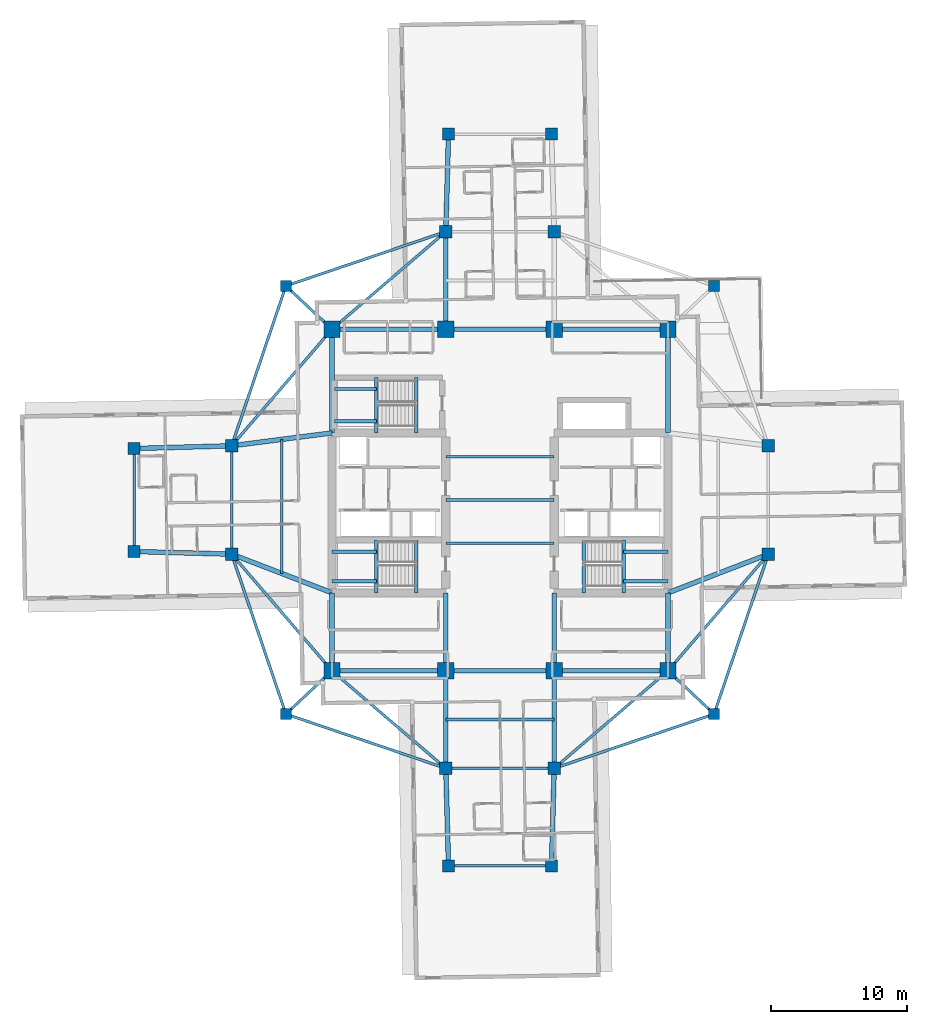
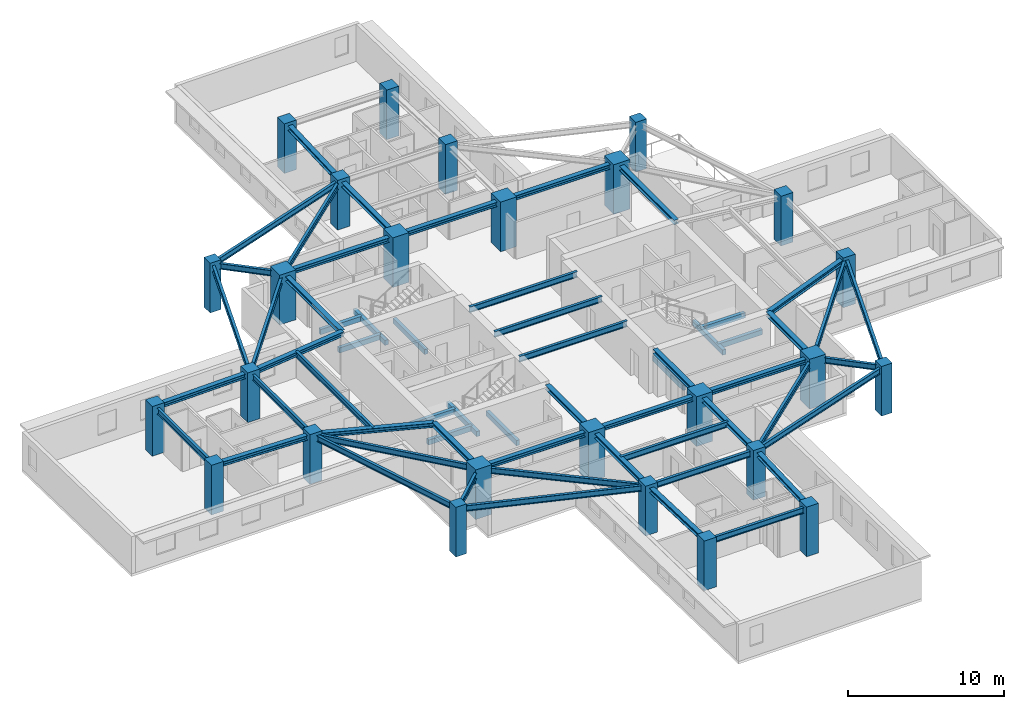
# One storey, part 1 of 13: 59 beams, 26 columns.
"""IFC4 building model written with IfcOpenShell, lengths in metres."""

from ifc_helpers import new_model, si_unit, direction, frame, origin, origin_2d, place, context, subcontext, project, spatial, rectangle, i_section, extrude, material, material_profile, profile_set, type_object, element, save


model = new_model("IFC4")

# Units and contexts
model_context = context("Model", 3, precision=1e-05, world=origin(), true_north=direction((0.0, 1.0)))
body_context = subcontext(model_context, "Body", "Model", "MODEL_VIEW")
ifc_project = project(units=[si_unit("LENGTHUNIT", "METRE"), si_unit("AREAUNIT", "SQUARE_METRE"), si_unit("VOLUMEUNIT", "CUBIC_METRE"), si_unit("PLANEANGLEUNIT", "RADIAN"), si_unit("MASSUNIT", "GRAM", prefix="KILO")], contexts=[model_context])

# Site, building, storey
site_placement = place(None, origin())
site = spatial("IfcSite", under=ifc_project, at=site_placement, CompositionType="ELEMENT")
building_placement = place(site_placement, origin())
building = spatial("IfcBuilding", under=site, at=building_placement, Name="Qingluan Cross Belvedere", CompositionType="ELEMENT")
storey_placement = place(building_placement, frame((0.0, 0.0, 187.800048828125)))
storey = spatial("IfcBuildingStorey", under=building, at=storey_placement, Name="L47", CompositionType="ELEMENT", Elevation=187.800048828125)

# Columns
ifc_material_1 = material(Name="Concrete C60", Category="concrete")
ifc_material_profile_1 = material_profile(ifc_material_1, rectangle(XDim=1.199951171875, YDim=1.199951171875, at=origin_2d()), Name="RC1200x1200")
ifc_profile_set_1 = profile_set([ifc_material_profile_1], Name="Concrete C60")
column_type_1 = type_object("IfcColumnType", Name="Column_RC1200x1200", PredefinedType="COLUMN", material=ifc_profile_set_1)
for number, where, z_axis, x_axis, name in (
    (1, (-12.39990234375, -12.60009765625, 0.0), (0.0, 0.0, 1.0), (1.0, 0.0, 0.0), "Hub column L47-HC1"),
    (2, (12.39990234375, -12.60009765625, 0.0), (0.0, 0.0, 1.0), (1.0, 0.0, 0.0), "Hub column L47-HC2"),
    (3, (12.39990234375, 12.60009765625, 0.0), (0.0, 0.0, 1.0), (1.0, 0.0, 0.0), "Hub column L47-HC3"),
    (4, (-12.39990234375, 12.60009765625, 0.0), (0.0, 0.0, 1.0), (1.0, 0.0, 0.0), "Hub column L47-HC4"),
    (5, (-4.0, -12.60009765625, 0.0), (0.0, 0.0, 1.0), (1.0, 0.0, 0.0), "Hub column L47-HC5"),
    (6, (4.0, -12.60009765625, 0.0), (0.0, 0.0, 1.0), (1.0, 0.0, 0.0), "Hub column L47-HC6"),
    (7, (4.0, 12.60009765625, 0.0), (0.0, 0.0, 1.0), (1.0, 0.0, 0.0), "Hub column L47-HC7"),
    (8, (-4.0, 12.60009765625, 0.0), (0.0, 0.0, 1.0), (1.0, 0.0, 0.0), "Hub column L47-HC8"),
):
    element("IfcColumn", number, at=place(storey_placement, frame(where, z_axis=z_axis, x_axis=x_axis)), inside=storey, type_object=column_type_1, Name=name, PredefinedType="COLUMN", context=body_context, shape_type="SweptSolid", body=[
        extrude(rectangle(XDim=1.199951171875, YDim=1.199951171875, at=origin_2d()), origin(), (0.0, 0.0, 1.0), 3.89990234375),
    ])
ifc_material_2 = material(Name="Concrete C50", Category="concrete")
ifc_material_profile_2 = material_profile(ifc_material_2, rectangle(XDim=0.800048828125, YDim=0.800048828125, at=origin_2d()), Name="RC800x800")
ifc_profile_set_2 = profile_set([ifc_material_profile_2], Name="Concrete C50")
column_type_2 = type_object("IfcColumnType", Name="Column_RC800x800", PredefinedType="COLUMN", material=ifc_profile_set_2)
for number, where, z_axis, x_axis, name in (
    (9, (15.800048828125, 15.800048828125, 0.0), (0.0, 0.0, 1.0), (1.0, 0.0, 0.0), "Corner column L47-RNE"),
    (10, (-15.800048828125, 15.800048828125, 0.0), (0.0, 0.0, 1.0), (1.0, 0.0, 0.0), "Corner column L47-RNW"),
    (11, (-15.800048828125, -15.800048828125, 0.0), (0.0, 0.0, 1.0), (1.0, 0.0, 0.0), "Corner column L47-RSW"),
    (12, (15.800048828125, -15.800048828125, 0.0), (0.0, 0.0, 1.0), (1.0, 0.0, 0.0), "Corner column L47-RSE"),
):
    element("IfcColumn", number, at=place(storey_placement, frame(where, z_axis=z_axis, x_axis=x_axis)), inside=storey, type_object=column_type_2, Name=name, PredefinedType="COLUMN", context=body_context, shape_type="SweptSolid", body=[
        extrude(rectangle(XDim=0.800048828125, YDim=0.800048828125, at=origin_2d()), origin(), (0.0, 0.0, 1.0), 3.89990234375),
    ])
ifc_material_3 = material(Name="Concrete C50", Category="concrete")
ifc_material_profile_3 = material_profile(ifc_material_3, rectangle(XDim=0.89990234375, YDim=0.89990234375, at=origin_2d()), Name="RC900x900")
ifc_profile_set_3 = profile_set([ifc_material_profile_3], Name="Concrete C50")
column_type_3 = type_object("IfcColumnType", Name="Column_RC900x900", PredefinedType="COLUMN", material=ifc_profile_set_3)
for number, where, z_axis, x_axis, name in (
    (13, (19.800048828125, -4.0, 0.0), (0.0, 0.0, 1.0), (1.0, 0.0, 0.0), "Arm column L47-EIA"),
    (14, (19.800048828125, 4.0, 0.0), (0.0, 0.0, 1.0), (1.0, 0.0, 0.0), "Arm column L47-EIB"),
    (15, (-19.800048828125, -4.0, 0.0), (0.0, 0.0, 1.0), (1.0, 0.0, 0.0), "Arm column L47-WIA"),
    (16, (-19.800048828125, 4.0, 0.0), (0.0, 0.0, 1.0), (1.0, 0.0, 0.0), "Arm column L47-WIB"),
    (17, (-4.0, -19.800048828125, 0.0), (0.0, 0.0, 1.0), (1.0, 0.0, 0.0), "Arm column L47-SIA"),
    (18, (4.0, -19.800048828125, 0.0), (0.0, 0.0, 1.0), (1.0, 0.0, 0.0), "Arm column L47-SIB"),
    (19, (-4.0, 19.800048828125, 0.0), (0.0, 0.0, 1.0), (1.0, 0.0, 0.0), "Arm column L47-NIA"),
    (20, (4.0, 19.800048828125, 0.0), (0.0, 0.0, 1.0), (1.0, 0.0, 0.0), "Arm column L47-NIB"),
    (21, (-27.0, -3.800048828125, 0.0), (0.0, 0.0, 1.0), (1.0, 0.0, 0.0), "Arm column L47-WOA"),
    (22, (-27.0, 3.800048828125, 0.0), (0.0, 0.0, 1.0), (1.0, 0.0, 0.0), "Arm column L47-WOB"),
    (23, (-3.800048828125, -27.0, 0.0), (0.0, 0.0, 1.0), (1.0, 0.0, 0.0), "Arm column L47-SOA"),
    (24, (3.800048828125, -27.0, 0.0), (0.0, 0.0, 1.0), (1.0, 0.0, 0.0), "Arm column L47-SOB"),
    (25, (-3.800048828125, 27.0, 0.0), (0.0, 0.0, 1.0), (1.0, 0.0, 0.0), "Arm column L47-NOA"),
    (26, (3.800048828125, 27.0, 0.0), (0.0, 0.0, 1.0), (1.0, 0.0, 0.0), "Arm column L47-NOB"),
):
    element("IfcColumn", number, at=place(storey_placement, frame(where, z_axis=z_axis, x_axis=x_axis)), inside=storey, type_object=column_type_3, Name=name, PredefinedType="COLUMN", context=body_context, shape_type="SweptSolid", body=[
        extrude(rectangle(XDim=0.89990234375, YDim=0.89990234375, at=origin_2d()), origin(), (0.0, 0.0, 1.0), 3.89990234375),
    ])

# Beams
ifc_material_4 = material(Name="Concrete C45", Category="concrete")
ifc_material_profile_4 = material_profile(ifc_material_4, rectangle(XDim=0.25, YDim=0.39990234375, at=origin_2d()), Name="RC250x400")
ifc_profile_set_4 = profile_set([ifc_material_profile_4], Name="Concrete C45")
beam_type_1 = type_object("IfcBeamType", Name="RC_Lintel_RC250x400", PredefinedType="LINTEL", material=ifc_profile_set_4)
for number, where, z_axis, x_axis, name in (
    (27, (-6.179931640625, -6.85009765625, -0.199951171875), (0.0, 1.0, 0.0), (-1.0, 0.0, 0.0), "Stair ST1 landing beam L47"),
    (28, (6.179931640625, -6.85009765625, -0.199951171875), (0.0, 1.0, 0.0), (-1.0, 0.0, 0.0), "Stair ST2 landing beam L47"),
):
    element("IfcBeam", number, at=place(storey_placement, frame(where, z_axis=z_axis, x_axis=x_axis)), inside=storey, type_object=beam_type_1, Name=name, PredefinedType="LINTEL", context=body_context, shape_type="SweptSolid", body=[
        extrude(rectangle(XDim=0.25, YDim=0.39990234375, at=origin_2d()), origin(), (0.0, 0.0, 1.0), 3.89013671875),
    ])
beam_1_placement = place(storey_placement, frame((-6.179931640625, 4.949951171875, -0.199951171875), z_axis=(0.0, 1.0, 0.0), x_axis=(-1.0, 0.0, 0.0)))
element("IfcBeam", 29, at=beam_1_placement, inside=storey, type_object=beam_type_1, Name="Stair ST3 landing beam L47", PredefinedType="LINTEL", context=body_context, shape_type="SweptSolid", body=[
    extrude(rectangle(XDim=0.25, YDim=0.39990234375, at=origin_2d()), origin(), (0.0, 0.0, 1.0), 4.090087890625),
])
beam_2_placement = place(storey_placement, frame((-9.1298828125, -6.85009765625, 1.550048828125), z_axis=(0.0, 1.0, 0.0), x_axis=(-1.0, 0.0, 0.0)))
element("IfcBeam", 30, at=beam_2_placement, inside=storey, type_object=beam_type_1, Name="Stair ST1 beam A L47", PredefinedType="LINTEL", context=body_context, shape_type="SweptSolid", body=[
    extrude(rectangle(XDim=0.25, YDim=0.39990234375, at=origin_2d()), origin(), (0.0, 0.0, 1.0), 3.89013671875),
])
for number, where, z_axis, x_axis, name in (
    (31, (-12.39990234375, -6.0, 1.550048828125), (1.0, 0.0, 0.0), (0.0, 1.0, 0.0), "Stair ST1 beam B L47"),
    (32, (-12.39990234375, -3.81005859375, 1.550048828125), (1.0, 0.0, 0.0), (0.0, 1.0, 0.0), "Stair ST1 beam C L47"),
):
    element("IfcBeam", number, at=place(storey_placement, frame(where, z_axis=z_axis, x_axis=x_axis)), inside=storey, type_object=beam_type_1, Name=name, PredefinedType="LINTEL", context=body_context, shape_type="SweptSolid", body=[
        extrude(rectangle(XDim=0.25, YDim=0.39990234375, at=origin_2d()), origin(), (0.0, 0.0, 1.0), 3.27001953125),
    ])
beam_3_placement = place(storey_placement, frame((9.1298828125, -6.85009765625, 1.550048828125), z_axis=(0.0, 1.0, 0.0), x_axis=(-1.0, 0.0, 0.0)))
element("IfcBeam", 33, at=beam_3_placement, inside=storey, type_object=beam_type_1, Name="Stair ST2 beam A L47", PredefinedType="LINTEL", context=body_context, shape_type="SweptSolid", body=[
    extrude(rectangle(XDim=0.25, YDim=0.39990234375, at=origin_2d()), origin(), (0.0, 0.0, 1.0), 3.89013671875),
])
for number, where, z_axis, x_axis, name in (
    (34, (12.39990234375, -6.0, 1.550048828125), (-1.0, 0.0, 0.0), (0.0, -1.0, 0.0), "Stair ST2 beam B L47"),
    (35, (12.39990234375, -3.81005859375, 1.550048828125), (-1.0, 0.0, 0.0), (0.0, -1.0, 0.0), "Stair ST2 beam C L47"),
):
    element("IfcBeam", number, at=place(storey_placement, frame(where, z_axis=z_axis, x_axis=x_axis)), inside=storey, type_object=beam_type_1, Name=name, PredefinedType="LINTEL", context=body_context, shape_type="SweptSolid", body=[
        extrude(rectangle(XDim=0.25, YDim=0.39990234375, at=origin_2d()), origin(), (0.0, 0.0, 1.0), 3.27001953125),
    ])
beam_4_placement = place(storey_placement, frame((-9.1298828125, 4.949951171875, 1.550048828125), z_axis=(0.0, 1.0, 0.0), x_axis=(-1.0, 0.0, 0.0)))
element("IfcBeam", 36, at=beam_4_placement, inside=storey, type_object=beam_type_1, Name="Stair ST3 beam A L47", PredefinedType="LINTEL", context=body_context, shape_type="SweptSolid", body=[
    extrude(rectangle(XDim=0.25, YDim=0.39990234375, at=origin_2d()), origin(), (0.0, 0.0, 1.0), 4.090087890625),
])
for number, where, z_axis, x_axis, name in (
    (37, (-12.219970703125, 5.800048828125, 1.550048828125), (1.0, 0.0, 0.0), (0.0, 1.0, 0.0), "Stair ST3 beam B L47"),
    (38, (-12.219970703125, 8.18994140625, 1.550048828125), (1.0, 0.0, 0.0), (0.0, 1.0, 0.0), "Stair ST3 beam C L47"),
):
    element("IfcBeam", number, at=place(storey_placement, frame(where, z_axis=z_axis, x_axis=x_axis)), inside=storey, type_object=beam_type_1, Name=name, PredefinedType="LINTEL", context=body_context, shape_type="SweptSolid", body=[
        extrude(rectangle(XDim=0.25, YDim=0.39990234375, at=origin_2d()), origin(), (0.0, 0.0, 1.0), 3.090087890625),
    ])
ifc_material_5 = material(Name="Steel Q420GJB", Category="steel")
ifc_material_profile_5 = material_profile(ifc_material_5, i_section(OverallWidth=0.199951171875, OverallDepth=0.449951171875, WebThickness=0.009033203125, FlangeThickness=0.013916015625, FilletRadius=0.01611328125, at=origin_2d()), Name="HN450x200x9x14")
ifc_profile_set_5 = profile_set([ifc_material_profile_5], Name="Steel Q420GJB")
beam_type_2 = type_object("IfcBeamType", Name="Steel_Beam_HN450x200x9x14", PredefinedType="JOIST", material=ifc_profile_set_5)
beam_5_placement = place(storey_placement, frame((-12.39990234375, 12.60009765625, 3.425048828125), z_axis=(-0.728219948308, 0.685343495546, 0.0), x_axis=(-0.685343495546, -0.728219948308, 0.0)))
element("IfcBeam", 39, at=beam_5_placement, inside=storey, type_object=beam_type_2, Name="Corner beam 1 L47-RNW", PredefinedType="JOIST", context=body_context, shape_type="SweptSolid", body=[
    extrude(i_section(OverallWidth=0.199951171875, OverallDepth=0.449951171875, WebThickness=0.009033203125, FlangeThickness=0.013916015625, FilletRadius=0.01611328125, at=origin_2d()), origin(), (0.0, 0.0, 1.0), 4.669189453125),
])
for number, where, z_axis, x_axis, name in (
    (40, (-15.800048828125, 15.800048828125, 3.425048828125), (0.947066283324, 0.321038089628, 0.0), (-0.321038089628, 0.947066283324, 0.0), "Corner beam 2 L47-RNW"),
    (41, (-15.800048828125, 15.800048828125, 3.425048828125), (-0.321038089628, -0.947066283324, 0.0), (0.947066283324, -0.321038089628, 0.0), "Corner beam 3 L47-RNW"),
):
    element("IfcBeam", number, at=place(storey_placement, frame(where, z_axis=z_axis, x_axis=x_axis)), inside=storey, type_object=beam_type_2, Name=name, PredefinedType="JOIST", context=body_context, shape_type="SweptSolid", body=[
        extrude(i_section(OverallWidth=0.199951171875, OverallDepth=0.449951171875, WebThickness=0.009033203125, FlangeThickness=0.013916015625, FilletRadius=0.01611328125, at=origin_2d()), origin(), (0.0, 0.0, 1.0), 12.45947265625),
    ])
beam_6_placement = place(storey_placement, frame((-12.39990234375, 12.60009765625, 3.425048828125), z_axis=(-0.652245077546, -0.75800815221, 0.0), x_axis=(0.75800815221, -0.652245077546, 0.0)))
element("IfcBeam", 42, at=beam_6_placement, inside=storey, type_object=beam_type_2, Name="Corner beam 4 L47-RNW", PredefinedType="JOIST", context=body_context, shape_type="SweptSolid", body=[
    extrude(i_section(OverallWidth=0.199951171875, OverallDepth=0.449951171875, WebThickness=0.009033203125, FlangeThickness=0.013916015625, FilletRadius=0.01611328125, at=origin_2d()), origin(), (0.0, 0.0, 1.0), 11.345703125),
])
beam_7_placement = place(storey_placement, frame((-12.39990234375, 12.60009765625, 3.425048828125), z_axis=(0.759255044656, 0.650793190779, 0.0), x_axis=(-0.650793190779, 0.759255044656, 0.0)))
element("IfcBeam", 43, at=beam_7_placement, inside=storey, type_object=beam_type_2, Name="Corner beam 5 L47-RNW", PredefinedType="JOIST", context=body_context, shape_type="SweptSolid", body=[
    extrude(i_section(OverallWidth=0.199951171875, OverallDepth=0.449951171875, WebThickness=0.009033203125, FlangeThickness=0.013916015625, FilletRadius=0.01611328125, at=origin_2d()), origin(), (0.0, 0.0, 1.0), 11.063232421875),
])
beam_8_placement = place(storey_placement, frame((-12.39990234375, -12.60009765625, 3.425048828125), z_axis=(-0.728219948308, -0.685343495546, 0.0), x_axis=(0.685343495546, -0.728219948308, 0.0)))
element("IfcBeam", 44, at=beam_8_placement, inside=storey, type_object=beam_type_2, Name="Corner beam 1 L47-RSW", PredefinedType="JOIST", context=body_context, shape_type="SweptSolid", body=[
    extrude(i_section(OverallWidth=0.199951171875, OverallDepth=0.449951171875, WebThickness=0.009033203125, FlangeThickness=0.013916015625, FilletRadius=0.01611328125, at=origin_2d()), origin(), (0.0, 0.0, 1.0), 4.669189453125),
])
for number, where, z_axis, x_axis, name in (
    (45, (-15.800048828125, -15.800048828125, 3.425048828125), (0.947066283324, -0.321038089628, 0.0), (0.321038089628, 0.947066283324, 0.0), "Corner beam 2 L47-RSW"),
    (46, (-15.800048828125, -15.800048828125, 3.425048828125), (-0.321038089628, 0.947066283324, 0.0), (-0.947066283324, -0.321038089628, 0.0), "Corner beam 3 L47-RSW"),
):
    element("IfcBeam", number, at=place(storey_placement, frame(where, z_axis=z_axis, x_axis=x_axis)), inside=storey, type_object=beam_type_2, Name=name, PredefinedType="JOIST", context=body_context, shape_type="SweptSolid", body=[
        extrude(i_section(OverallWidth=0.199951171875, OverallDepth=0.449951171875, WebThickness=0.009033203125, FlangeThickness=0.013916015625, FilletRadius=0.01611328125, at=origin_2d()), origin(), (0.0, 0.0, 1.0), 12.45947265625),
    ])
beam_9_placement = place(storey_placement, frame((-12.39990234375, -12.60009765625, 3.425048828125), z_axis=(-0.652245077546, 0.75800815221, 0.0), x_axis=(-0.75800815221, -0.652245077546, 0.0)))
element("IfcBeam", 47, at=beam_9_placement, inside=storey, type_object=beam_type_2, Name="Corner beam 4 L47-RSW", PredefinedType="JOIST", context=body_context, shape_type="SweptSolid", body=[
    extrude(i_section(OverallWidth=0.199951171875, OverallDepth=0.449951171875, WebThickness=0.009033203125, FlangeThickness=0.013916015625, FilletRadius=0.01611328125, at=origin_2d()), origin(), (0.0, 0.0, 1.0), 11.345703125),
])
beam_10_placement = place(storey_placement, frame((-12.39990234375, -12.60009765625, 3.425048828125), z_axis=(0.759255044656, -0.650793190779, 0.0), x_axis=(0.650793190779, 0.759255044656, 0.0)))
element("IfcBeam", 48, at=beam_10_placement, inside=storey, type_object=beam_type_2, Name="Corner beam 5 L47-RSW", PredefinedType="JOIST", context=body_context, shape_type="SweptSolid", body=[
    extrude(i_section(OverallWidth=0.199951171875, OverallDepth=0.449951171875, WebThickness=0.009033203125, FlangeThickness=0.013916015625, FilletRadius=0.01611328125, at=origin_2d()), origin(), (0.0, 0.0, 1.0), 11.063232421875),
])
beam_11_placement = place(storey_placement, frame((12.39990234375, -12.60009765625, 3.425048828125), z_axis=(0.728219948308, -0.685343495546, 0.0), x_axis=(0.685343495546, 0.728219948308, 0.0)))
element("IfcBeam", 49, at=beam_11_placement, inside=storey, type_object=beam_type_2, Name="Corner beam 1 L47-RSE", PredefinedType="JOIST", context=body_context, shape_type="SweptSolid", body=[
    extrude(i_section(OverallWidth=0.199951171875, OverallDepth=0.449951171875, WebThickness=0.009033203125, FlangeThickness=0.013916015625, FilletRadius=0.01611328125, at=origin_2d()), origin(), (0.0, 0.0, 1.0), 4.669189453125),
])
for number, where, z_axis, x_axis, name in (
    (50, (15.800048828125, -15.800048828125, 3.425048828125), (-0.947066283324, -0.321038089628, 0.0), (0.321038089628, -0.947066283324, 0.0), "Corner beam 2 L47-RSE"),
    (51, (15.800048828125, -15.800048828125, 3.425048828125), (0.321038089628, 0.947066283324, 0.0), (-0.947066283324, 0.321038089628, 0.0), "Corner beam 3 L47-RSE"),
):
    element("IfcBeam", number, at=place(storey_placement, frame(where, z_axis=z_axis, x_axis=x_axis)), inside=storey, type_object=beam_type_2, Name=name, PredefinedType="JOIST", context=body_context, shape_type="SweptSolid", body=[
        extrude(i_section(OverallWidth=0.199951171875, OverallDepth=0.449951171875, WebThickness=0.009033203125, FlangeThickness=0.013916015625, FilletRadius=0.01611328125, at=origin_2d()), origin(), (0.0, 0.0, 1.0), 12.45947265625),
    ])
beam_12_placement = place(storey_placement, frame((12.39990234375, -12.60009765625, 3.425048828125), z_axis=(0.652245077546, 0.75800815221, 0.0), x_axis=(-0.75800815221, 0.652245077546, 0.0)))
element("IfcBeam", 52, at=beam_12_placement, inside=storey, type_object=beam_type_2, Name="Corner beam 4 L47-RSE", PredefinedType="JOIST", context=body_context, shape_type="SweptSolid", body=[
    extrude(i_section(OverallWidth=0.199951171875, OverallDepth=0.449951171875, WebThickness=0.009033203125, FlangeThickness=0.013916015625, FilletRadius=0.01611328125, at=origin_2d()), origin(), (0.0, 0.0, 1.0), 11.345703125),
])
beam_13_placement = place(storey_placement, frame((12.39990234375, -12.60009765625, 3.425048828125), z_axis=(-0.759255044656, -0.650793190779, 0.0), x_axis=(0.650793190779, -0.759255044656, 0.0)))
element("IfcBeam", 53, at=beam_13_placement, inside=storey, type_object=beam_type_2, Name="Corner beam 5 L47-RSE", PredefinedType="JOIST", context=body_context, shape_type="SweptSolid", body=[
    extrude(i_section(OverallWidth=0.199951171875, OverallDepth=0.449951171875, WebThickness=0.009033203125, FlangeThickness=0.013916015625, FilletRadius=0.01611328125, at=origin_2d()), origin(), (0.0, 0.0, 1.0), 11.063232421875),
])
for number, where, z_axis, x_axis, name in (
    (54, (-4.0, -3.199951171875, 3.425048828125), (1.0, 0.0, 0.0), (0.0, 1.0, 0.0), "Hall beam L47-CH1"),
    (55, (-4.0, 0.0, 3.425048828125), (1.0, 0.0, 0.0), (0.0, 1.0, 0.0), "Hall beam L47-CH2"),
    (56, (-4.0, 3.199951171875, 3.425048828125), (1.0, 0.0, 0.0), (0.0, 1.0, 0.0), "Hall beam L47-CH3"),
    (57, (-19.800048828125, -4.0, 3.425048828125), (0.0, 1.0, 0.0), (-1.0, 0.0, 0.0), "Arm W tie L47"),
):
    element("IfcBeam", number, at=place(storey_placement, frame(where, z_axis=z_axis, x_axis=x_axis)), inside=storey, type_object=beam_type_2, Name=name, PredefinedType="JOIST", context=body_context, shape_type="SweptSolid", body=[
        extrude(i_section(OverallWidth=0.199951171875, OverallDepth=0.449951171875, WebThickness=0.009033203125, FlangeThickness=0.013916015625, FilletRadius=0.01611328125, at=origin_2d()), origin(), (0.0, 0.0, 1.0), 8.0),
    ])
beam_14_placement = place(storey_placement, frame((-16.10009765625, -5.425048828125, 3.425048828125), z_axis=(0.0, 1.0, 0.0), x_axis=(-1.0, 0.0, 0.0)))
element("IfcBeam", 58, at=beam_14_placement, inside=storey, type_object=beam_type_2, Name="Arm W beam L47", PredefinedType="JOIST", context=body_context, shape_type="SweptSolid", body=[
    extrude(i_section(OverallWidth=0.199951171875, OverallDepth=0.449951171875, WebThickness=0.009033203125, FlangeThickness=0.013916015625, FilletRadius=0.01611328125, at=origin_2d()), origin(), (0.0, 0.0, 1.0), 9.900146484375),
])
beam_15_placement = place(storey_placement, frame((-27.0, -3.800048828125, 3.425048828125), z_axis=(0.0, 1.0, 0.0), x_axis=(-1.0, 0.0, 0.0)))
element("IfcBeam", 59, at=beam_15_placement, inside=storey, type_object=beam_type_2, Name="Arm W tip transverse beam L47", PredefinedType="JOIST", context=body_context, shape_type="SweptSolid", body=[
    extrude(i_section(OverallWidth=0.199951171875, OverallDepth=0.449951171875, WebThickness=0.009033203125, FlangeThickness=0.013916015625, FilletRadius=0.01611328125, at=origin_2d()), origin(), (0.0, 0.0, 1.0), 7.60009765625),
])
for number, where, z_axis, x_axis, name in (
    (60, (-4.0, -19.800048828125, 3.425048828125), (1.0, 0.0, 0.0), (0.0, 1.0, 0.0), "Arm S tie L47"),
    (61, (-4.0, -16.199951171875, 3.425048828125), (1.0, 0.0, 0.0), (0.0, 1.0, 0.0), "Arm S beam L47"),
):
    element("IfcBeam", number, at=place(storey_placement, frame(where, z_axis=z_axis, x_axis=x_axis)), inside=storey, type_object=beam_type_2, Name=name, PredefinedType="JOIST", context=body_context, shape_type="SweptSolid", body=[
        extrude(i_section(OverallWidth=0.199951171875, OverallDepth=0.449951171875, WebThickness=0.009033203125, FlangeThickness=0.013916015625, FilletRadius=0.01611328125, at=origin_2d()), origin(), (0.0, 0.0, 1.0), 8.0),
    ])
beam_16_placement = place(storey_placement, frame((-3.800048828125, -27.0, 3.425048828125), z_axis=(1.0, 0.0, 0.0), x_axis=(0.0, 1.0, 0.0)))
element("IfcBeam", 62, at=beam_16_placement, inside=storey, type_object=beam_type_2, Name="Arm S tip transverse beam L47", PredefinedType="JOIST", context=body_context, shape_type="SweptSolid", body=[
    extrude(i_section(OverallWidth=0.199951171875, OverallDepth=0.449951171875, WebThickness=0.009033203125, FlangeThickness=0.013916015625, FilletRadius=0.01611328125, at=origin_2d()), origin(), (0.0, 0.0, 1.0), 7.60009765625),
])
ifc_material_6 = material(Name="Steel Q420GJB", Category="steel")
ifc_material_profile_6 = material_profile(ifc_material_6, i_section(OverallWidth=0.35009765625, OverallDepth=0.35009765625, WebThickness=0.011962890625, FlangeThickness=0.01904296875, FilletRadius=0.02001953125, at=origin_2d()), Name="HW350x350x12x19")
ifc_profile_set_6 = profile_set([ifc_material_profile_6], Name="Steel Q420GJB")
beam_type_3 = type_object("IfcBeamType", Name="Steel_Girder_HW350x350x12x19", PredefinedType="USERDEFINED", material=ifc_profile_set_6)
beam_17_placement = place(storey_placement, frame((-12.39990234375, -12.60009765625, 3.474853515625), z_axis=(1.0, 0.0, 0.0), x_axis=(0.0, 1.0, 0.0)))
element("IfcBeam", 63, at=beam_17_placement, inside=storey, type_object=beam_type_3, Name="Hub girder L47-HG-S1", ObjectType="GIRDER", PredefinedType="USERDEFINED", context=body_context, shape_type="SweptSolid", body=[
    extrude(i_section(OverallWidth=0.35009765625, OverallDepth=0.35009765625, WebThickness=0.011962890625, FlangeThickness=0.01904296875, FilletRadius=0.02001953125, at=origin_2d()), origin(), (0.0, 0.0, 1.0), 8.39990234375),
])
beam_18_placement = place(storey_placement, frame((-4.0, -12.60009765625, 3.474853515625), z_axis=(1.0, 0.0, 0.0), x_axis=(0.0, 1.0, 0.0)))
element("IfcBeam", 64, at=beam_18_placement, inside=storey, type_object=beam_type_3, Name="Hub girder L47-HG-S2", ObjectType="GIRDER", PredefinedType="USERDEFINED", context=body_context, shape_type="SweptSolid", body=[
    extrude(i_section(OverallWidth=0.35009765625, OverallDepth=0.35009765625, WebThickness=0.011962890625, FlangeThickness=0.01904296875, FilletRadius=0.02001953125, at=origin_2d()), origin(), (0.0, 0.0, 1.0), 8.0),
])
for number, where, z_axis, x_axis, name in (
    (65, (4.0, -12.60009765625, 3.474853515625), (1.0, 0.0, 0.0), (0.0, 1.0, 0.0), "Hub girder L47-HG-S3"),
    (66, (-12.39990234375, 12.60009765625, 3.474853515625), (1.0, 0.0, 0.0), (0.0, 1.0, 0.0), "Hub girder L47-HG-N1"),
):
    element("IfcBeam", number, at=place(storey_placement, frame(where, z_axis=z_axis, x_axis=x_axis)), inside=storey, type_object=beam_type_3, Name=name, ObjectType="GIRDER", PredefinedType="USERDEFINED", context=body_context, shape_type="SweptSolid", body=[
        extrude(i_section(OverallWidth=0.35009765625, OverallDepth=0.35009765625, WebThickness=0.011962890625, FlangeThickness=0.01904296875, FilletRadius=0.02001953125, at=origin_2d()), origin(), (0.0, 0.0, 1.0), 8.39990234375),
    ])
beam_19_placement = place(storey_placement, frame((-4.0, 12.60009765625, 3.474853515625), z_axis=(1.0, 0.0, 0.0), x_axis=(0.0, 1.0, 0.0)))
element("IfcBeam", 67, at=beam_19_placement, inside=storey, type_object=beam_type_3, Name="Hub girder L47-HG-N2", ObjectType="GIRDER", PredefinedType="USERDEFINED", context=body_context, shape_type="SweptSolid", body=[
    extrude(i_section(OverallWidth=0.35009765625, OverallDepth=0.35009765625, WebThickness=0.011962890625, FlangeThickness=0.01904296875, FilletRadius=0.02001953125, at=origin_2d()), origin(), (0.0, 0.0, 1.0), 8.0),
])
beam_20_placement = place(storey_placement, frame((4.0, 12.60009765625, 3.474853515625), z_axis=(1.0, 0.0, 0.0), x_axis=(0.0, 1.0, 0.0)))
element("IfcBeam", 68, at=beam_20_placement, inside=storey, type_object=beam_type_3, Name="Hub girder L47-HG-N3", ObjectType="GIRDER", PredefinedType="USERDEFINED", context=body_context, shape_type="SweptSolid", body=[
    extrude(i_section(OverallWidth=0.35009765625, OverallDepth=0.35009765625, WebThickness=0.011962890625, FlangeThickness=0.01904296875, FilletRadius=0.02001953125, at=origin_2d()), origin(), (0.0, 0.0, 1.0), 8.39990234375),
])
beam_21_placement = place(storey_placement, frame((-12.39990234375, -12.60009765625, 3.474853515625), z_axis=(0.0, 1.0, 0.0), x_axis=(-1.0, 0.0, 0.0)))
element("IfcBeam", 69, at=beam_21_placement, inside=storey, type_object=beam_type_3, Name="Hub girder L47-HG-W1", ObjectType="GIRDER", PredefinedType="USERDEFINED", context=body_context, shape_type="SweptSolid", body=[
    extrude(i_section(OverallWidth=0.35009765625, OverallDepth=0.35009765625, WebThickness=0.011962890625, FlangeThickness=0.01904296875, FilletRadius=0.02001953125, at=origin_2d()), origin(), (0.0, 0.0, 1.0), 5.75),
])
beam_22_placement = place(storey_placement, frame((-12.39990234375, 4.949951171875, 3.474853515625), z_axis=(0.0, 1.0, 0.0), x_axis=(-1.0, 0.0, 0.0)))
element("IfcBeam", 70, at=beam_22_placement, inside=storey, type_object=beam_type_3, Name="Hub girder L47-HG-W2", ObjectType="GIRDER", PredefinedType="USERDEFINED", context=body_context, shape_type="SweptSolid", body=[
    extrude(i_section(OverallWidth=0.35009765625, OverallDepth=0.35009765625, WebThickness=0.011962890625, FlangeThickness=0.01904296875, FilletRadius=0.02001953125, at=origin_2d()), origin(), (0.0, 0.0, 1.0), 7.650146484375),
])
beam_23_placement = place(storey_placement, frame((12.39990234375, -12.60009765625, 3.474853515625), z_axis=(0.0, 1.0, 0.0), x_axis=(-1.0, 0.0, 0.0)))
element("IfcBeam", 71, at=beam_23_placement, inside=storey, type_object=beam_type_3, Name="Hub girder L47-HG-E1", ObjectType="GIRDER", PredefinedType="USERDEFINED", context=body_context, shape_type="SweptSolid", body=[
    extrude(i_section(OverallWidth=0.35009765625, OverallDepth=0.35009765625, WebThickness=0.011962890625, FlangeThickness=0.01904296875, FilletRadius=0.02001953125, at=origin_2d()), origin(), (0.0, 0.0, 1.0), 5.75),
])
beam_24_placement = place(storey_placement, frame((12.39990234375, 4.949951171875, 3.474853515625), z_axis=(0.0, 1.0, 0.0), x_axis=(-1.0, 0.0, 0.0)))
element("IfcBeam", 72, at=beam_24_placement, inside=storey, type_object=beam_type_3, Name="Hub girder L47-HG-E2", ObjectType="GIRDER", PredefinedType="USERDEFINED", context=body_context, shape_type="SweptSolid", body=[
    extrude(i_section(OverallWidth=0.35009765625, OverallDepth=0.35009765625, WebThickness=0.011962890625, FlangeThickness=0.01904296875, FilletRadius=0.02001953125, at=origin_2d()), origin(), (0.0, 0.0, 1.0), 7.650146484375),
])
for number, where, z_axis, x_axis, name in (
    (73, (-4.0, -12.60009765625, 3.474853515625), (0.0, 1.0, 0.0), (-1.0, 0.0, 0.0), "Hub girder L47-HG-CW"),
    (74, (4.0, -12.60009765625, 3.474853515625), (0.0, 1.0, 0.0), (-1.0, 0.0, 0.0), "Hub girder L47-HG-CE"),
):
    element("IfcBeam", number, at=place(storey_placement, frame(where, z_axis=z_axis, x_axis=x_axis)), inside=storey, type_object=beam_type_3, Name=name, ObjectType="GIRDER", PredefinedType="USERDEFINED", context=body_context, shape_type="SweptSolid", body=[
        extrude(i_section(OverallWidth=0.35009765625, OverallDepth=0.35009765625, WebThickness=0.011962890625, FlangeThickness=0.01904296875, FilletRadius=0.02001953125, at=origin_2d()), origin(), (0.0, 0.0, 1.0), 5.75),
    ])
for number, where, z_axis, x_axis, name in (
    (75, (12.39990234375, -6.85009765625, 3.474853515625), (0.933181258889, 0.359406090735, 0.0), (-0.359406090735, 0.933181258889, 0.0), "Arm E radial girder A L47"),
    (76, (-12.39990234375, -6.85009765625, 3.474853515625), (-0.933181258889, 0.359406090735, 0.0), (-0.359406090735, -0.933181258889, 0.0), "Arm W radial girder A L47"),
):
    element("IfcBeam", number, at=place(storey_placement, frame(where, z_axis=z_axis, x_axis=x_axis)), inside=storey, type_object=beam_type_3, Name=name, ObjectType="GIRDER", PredefinedType="USERDEFINED", context=body_context, shape_type="SweptSolid", body=[
        extrude(i_section(OverallWidth=0.35009765625, OverallDepth=0.35009765625, WebThickness=0.011962890625, FlangeThickness=0.01904296875, FilletRadius=0.02001953125, at=origin_2d()), origin(), (0.0, 0.0, 1.0), 7.929931640625),
    ])
beam_25_placement = place(storey_placement, frame((-12.39990234375, 4.949951171875, 3.474853515625), z_axis=(-0.991861120628, -0.12732445714, 0.0), x_axis=(0.12732445714, -0.991861120628, 0.0)))
element("IfcBeam", 77, at=beam_25_placement, inside=storey, type_object=beam_type_3, Name="Arm W radial girder B L47", ObjectType="GIRDER", PredefinedType="USERDEFINED", context=body_context, shape_type="SweptSolid", body=[
    extrude(i_section(OverallWidth=0.35009765625, OverallDepth=0.35009765625, WebThickness=0.011962890625, FlangeThickness=0.01904296875, FilletRadius=0.02001953125, at=origin_2d()), origin(), (0.0, 0.0, 1.0), 7.4609375),
])
for number, where, z_axis, x_axis, name in (
    (78, (-19.800048828125, -4.0, 3.474853515625), (-0.999614603568, 0.027760481514, 0.0), (-0.027760481514, -0.999614603568, 0.0), "Arm W outer radial girder A L47"),
    (79, (-19.800048828125, 4.0, 3.474853515625), (-0.999614603568, -0.027760481514, 0.0), (0.027760481514, -0.999614603568, 0.0), "Arm W outer radial girder B L47"),
):
    element("IfcBeam", number, at=place(storey_placement, frame(where, z_axis=z_axis, x_axis=x_axis)), inside=storey, type_object=beam_type_3, Name=name, ObjectType="GIRDER", PredefinedType="USERDEFINED", context=body_context, shape_type="SweptSolid", body=[
        extrude(i_section(OverallWidth=0.35009765625, OverallDepth=0.35009765625, WebThickness=0.011962890625, FlangeThickness=0.01904296875, FilletRadius=0.02001953125, at=origin_2d()), origin(), (0.0, 0.0, 1.0), 7.20263671875),
    ])
beam_26_placement = place(storey_placement, frame((-4.0, 12.60009765625, 3.474853515625), z_axis=(0.0, 1.0, 0.0), x_axis=(-1.0, 0.0, 0.0)))
element("IfcBeam", 80, at=beam_26_placement, inside=storey, type_object=beam_type_3, Name="Arm N radial girder A L47", ObjectType="GIRDER", PredefinedType="USERDEFINED", context=body_context, shape_type="SweptSolid", body=[
    extrude(i_section(OverallWidth=0.35009765625, OverallDepth=0.35009765625, WebThickness=0.011962890625, FlangeThickness=0.01904296875, FilletRadius=0.02001953125, at=origin_2d()), origin(), (0.0, 0.0, 1.0), 7.199951171875),
])
beam_27_placement = place(storey_placement, frame((-4.0, 19.800048828125, 3.474853515625), z_axis=(0.027760481514, 0.999614603568, 0.0), x_axis=(-0.999614603568, 0.027760481514, 0.0)))
element("IfcBeam", 81, at=beam_27_placement, inside=storey, type_object=beam_type_3, Name="Arm N outer radial girder A L47", ObjectType="GIRDER", PredefinedType="USERDEFINED", context=body_context, shape_type="SweptSolid", body=[
    extrude(i_section(OverallWidth=0.35009765625, OverallDepth=0.35009765625, WebThickness=0.011962890625, FlangeThickness=0.01904296875, FilletRadius=0.02001953125, at=origin_2d()), origin(), (0.0, 0.0, 1.0), 7.20263671875),
])
for number, where, z_axis, x_axis, name in (
    (82, (-4.0, -12.60009765625, 3.474853515625), (0.0, -1.0, 0.0), (1.0, 0.0, 0.0), "Arm S radial girder A L47"),
    (83, (4.0, -12.60009765625, 3.474853515625), (0.0, -1.0, 0.0), (1.0, 0.0, 0.0), "Arm S radial girder B L47"),
):
    element("IfcBeam", number, at=place(storey_placement, frame(where, z_axis=z_axis, x_axis=x_axis)), inside=storey, type_object=beam_type_3, Name=name, ObjectType="GIRDER", PredefinedType="USERDEFINED", context=body_context, shape_type="SweptSolid", body=[
        extrude(i_section(OverallWidth=0.35009765625, OverallDepth=0.35009765625, WebThickness=0.011962890625, FlangeThickness=0.01904296875, FilletRadius=0.02001953125, at=origin_2d()), origin(), (0.0, 0.0, 1.0), 7.199951171875),
    ])
for number, where, z_axis, x_axis, name in (
    (84, (-4.0, -19.800048828125, 3.474853515625), (0.027760481514, -0.999614603568, 0.0), (0.999614603568, 0.027760481514, 0.0), "Arm S outer radial girder A L47"),
    (85, (4.0, -19.800048828125, 3.474853515625), (-0.027760481514, -0.999614603568, 0.0), (0.999614603568, -0.027760481514, 0.0), "Arm S outer radial girder B L47"),
):
    element("IfcBeam", number, at=place(storey_placement, frame(where, z_axis=z_axis, x_axis=x_axis)), inside=storey, type_object=beam_type_3, Name=name, ObjectType="GIRDER", PredefinedType="USERDEFINED", context=body_context, shape_type="SweptSolid", body=[
        extrude(i_section(OverallWidth=0.35009765625, OverallDepth=0.35009765625, WebThickness=0.011962890625, FlangeThickness=0.01904296875, FilletRadius=0.02001953125, at=origin_2d()), origin(), (0.0, 0.0, 1.0), 7.20263671875),
    ])

save(model, "model.ifc")
